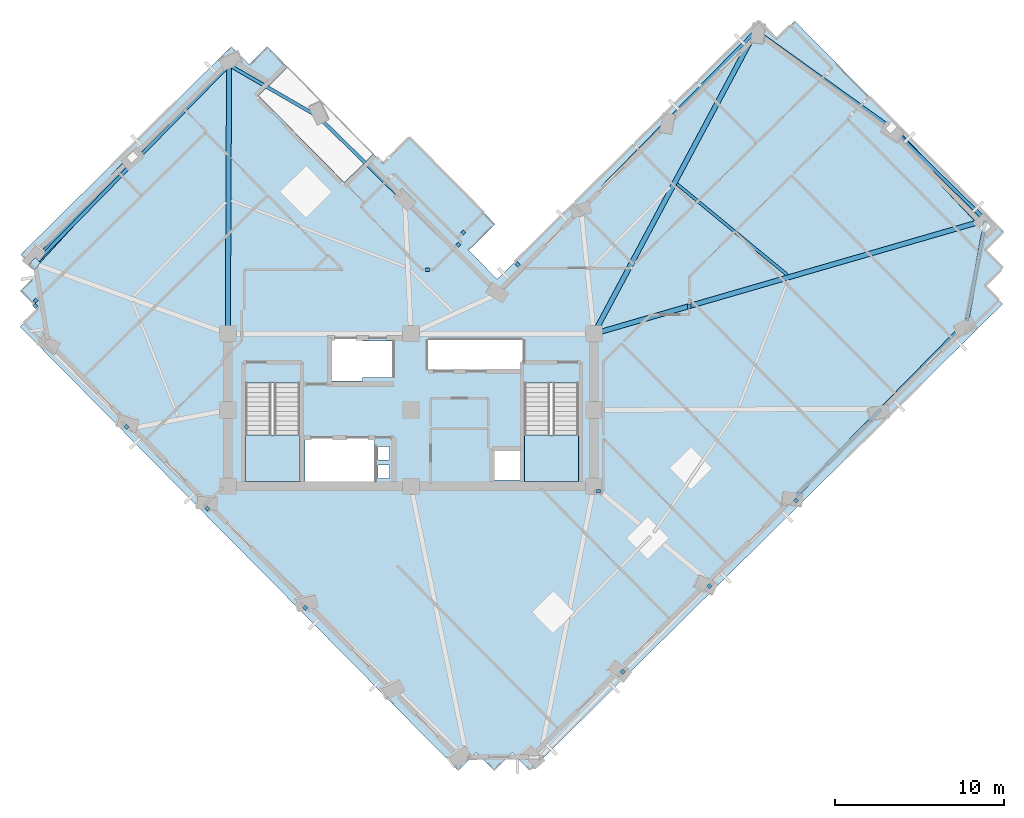
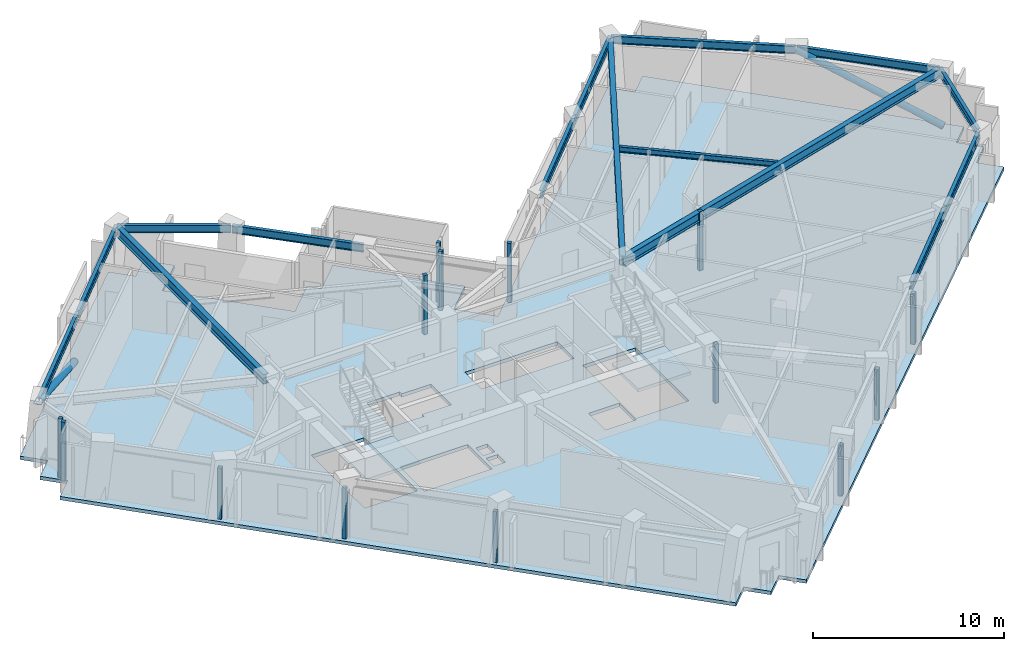
# One storey, part 2 of 11: 15 beams, 15 plates, 3 slabs, 2 members, 2 elements without a shape of their own.
"""IFC4 building model written with IfcOpenShell, lengths in metres."""

from ifc_helpers import new_model, si_unit, direction, frame, origin, origin_2d, place, context, subcontext, project, spatial, polyline, rectangle, hollow_circle, i_section, outline, extrude, material, layer, layer_set, material_profile, profile_set, type_object, element, aggregate, save


model = new_model("IFC4")

# Units and contexts
model_context = context("Model", 3, precision=1e-05, world=origin(), true_north=direction((0.0, 1.0)))
body_context = subcontext(model_context, "Body", "Model", "MODEL_VIEW")
ifc_project = project(units=[si_unit("LENGTHUNIT", "METRE"), si_unit("AREAUNIT", "SQUARE_METRE"), si_unit("VOLUMEUNIT", "CUBIC_METRE"), si_unit("PLANEANGLEUNIT", "RADIAN"), si_unit("MASSUNIT", "GRAM", prefix="KILO")], contexts=[model_context])

# Site, building, storey
site_placement = place(None, origin())
site = spatial("IfcSite", under=ifc_project, at=site_placement, CompositionType="ELEMENT")
building_placement = place(site_placement, origin())
building = spatial("IfcBuilding", under=site, at=building_placement, Name="Gaonmaruhae Medical Tower", CompositionType="ELEMENT")
storey_placement = place(building_placement, frame((0.0, 0.0, 215.199951171875)))
storey = spatial("IfcBuildingStorey", under=building, at=storey_placement, Name="L51", CompositionType="ELEMENT", Elevation=215.199951171875)

# Beam
ifc_material_1 = material(Name="Steel SM355", Category="steel")
ifc_material_profile_1 = material_profile(ifc_material_1, i_section(OverallWidth=0.175048828125, OverallDepth=0.35009765625, WebThickness=0.007080078125, FlangeThickness=0.010986328125, FilletRadius=0.012939453125, at=origin_2d()), Name="H-350x175x7x11")
ifc_profile_set_1 = profile_set([ifc_material_profile_1], Name="Steel SM355")
beam_type_1 = type_object("IfcBeamType", Name="FJ-02 Upper Zone Ward Floor Joist (H-350x175x7x11)", PredefinedType="JOIST", material=ifc_profile_set_1)
beam_1_placement = place(storey_placement, frame((47.013916015625, 20.27294921875, 3.60498046875), z_axis=(-0.771619361328, 0.63608455509, 0.0), x_axis=(-0.63608455509, -0.771619361328, 0.0)))
element("IfcBeam", 1, at=beam_1_placement, inside=storey, type_object=beam_type_1, Name="L51 Secondary Floor Joist FJ04", PredefinedType="JOIST", context=body_context, shape_type="SweptSolid", body=[
    extrude(i_section(OverallWidth=0.175048828125, OverallDepth=0.35009765625, WebThickness=0.007080078125, FlangeThickness=0.010986328125, FilletRadius=0.012939453125, at=origin_2d()), origin(), (0.0, 0.0, 1.0), 8.435546875),
])

# Members
ifc_material_2 = material(Name="Steel SM420", Category="steel")
ifc_material_profile_2 = material_profile(ifc_material_2, hollow_circle(Radius=0.203125, WallThickness=0.0126953125, at=origin_2d()), Name="CHS-406.4x12.7")
ifc_profile_set_2 = profile_set([ifc_material_profile_2], Name="Steel SM420")
member_type = type_object("IfcMemberType", Name="PB-02 Perimeter Solid-Bay Tube Brace Mid (CHS-406.4x12.7)", PredefinedType="BRACE", material=ifc_profile_set_2)
member_1_placement = place(storey_placement, frame((58.6923828125, 23.091064453125, 0.25), z_axis=(-0.636249618731, 0.673570663473, 0.376150214638), x_axis=(-0.726959518933, -0.686680317057, 0.0)))
element("IfcMember", 2, at=member_1_placement, inside=storey, type_object=member_type, Name="L51 Perimeter Tube Solid-Bay Brace E01-E02", PredefinedType="BRACE", context=body_context, shape_type="SweptSolid", body=[
    extrude(hollow_circle(Radius=0.203125, WallThickness=0.0126953125, at=origin_2d()), origin(), (0.0, 0.0, 1.0), 8.719970703125),
])
member_2_placement = place(storey_placement, frame((8.37060546875, 27.216796875, 0.25), z_axis=(-0.631874900365, -0.68694019295, 0.358953035366), x_axis=(0.735989773086, -0.676992654253, 0.0)))
element("IfcMember", 3, at=member_2_placement, inside=storey, type_object=member_type, Name="L51 Perimeter Tube Solid-Bay Brace N02-N03", PredefinedType="BRACE", context=body_context, shape_type="SweptSolid", body=[
    extrude(hollow_circle(Radius=0.203125, WallThickness=0.0126953125, at=origin_2d()), origin(), (0.0, 0.0, 1.0), 9.1376953125),
])

# Beams
ifc_material_profile_3 = material_profile(ifc_material_2, i_section(OverallWidth=0.300048828125, OverallDepth=0.60009765625, WebThickness=0.011962890625, FlangeThickness=0.02001953125, FilletRadius=0.012939453125, at=origin_2d()), Name="H-600x300x12x20")
ifc_profile_set_3 = profile_set([ifc_material_profile_3], Name="Steel SM420")
beam_type_2 = type_object("IfcBeamType", Name="PG-04 Zone 4 Radial Floor Girder (H-600x300x12x20)", PredefinedType="BEAM", material=ifc_profile_set_3)
beam_2_placement = place(storey_placement, frame((35.64794921875, 16.81396484375, 3.47998046875), z_axis=(0.960392485778, 0.278650808828, 0.0), x_axis=(-0.278650808828, 0.960392485778, 0.0)))
element("IfcBeam", 4, at=beam_2_placement, inside=storey, type_object=beam_type_2, Name="L51 Radial Primary Girder E01", PredefinedType="BEAM", context=body_context, shape_type="SweptSolid", body=[
    extrude(i_section(OverallWidth=0.300048828125, OverallDepth=0.60009765625, WebThickness=0.011962890625, FlangeThickness=0.02001953125, FilletRadius=0.012939453125, at=origin_2d()), origin(), (0.0, 0.0, 1.0), 23.970703125),
])
beam_3_placement = place(storey_placement, frame((35.62353515625, 16.843994140625, 3.47998046875), z_axis=(0.471683756144, 0.881767789267, 0.0), x_axis=(-0.881767789267, 0.471683756144, 0.0)))
element("IfcBeam", 5, at=beam_3_placement, inside=storey, type_object=beam_type_2, Name="L51 Radial Primary Girder E03", PredefinedType="BEAM", context=body_context, shape_type="SweptSolid", body=[
    extrude(i_section(OverallWidth=0.300048828125, OverallDepth=0.60009765625, WebThickness=0.011962890625, FlangeThickness=0.02001953125, FilletRadius=0.012939453125, at=origin_2d()), origin(), (0.0, 0.0, 1.0), 20.17724609375),
])
beam_4_placement = place(storey_placement, frame((14.000244140625, 16.85009765625, 3.47998046875), z_axis=(0.004493292105, 0.999989905112, 0.0), x_axis=(-0.999989905112, 0.004493292105, 0.0)))
element("IfcBeam", 6, at=beam_4_placement, inside=storey, type_object=beam_type_2, Name="L51 Radial Primary Girder N01", PredefinedType="BEAM", context=body_context, shape_type="SweptSolid", body=[
    extrude(i_section(OverallWidth=0.300048828125, OverallDepth=0.60009765625, WebThickness=0.011962890625, FlangeThickness=0.02001953125, FilletRadius=0.012939453125, at=origin_2d()), origin(), (0.0, 0.0, 1.0), 15.757080078125),
])
ifc_material_profile_4 = material_profile(ifc_material_1, i_section(OverallWidth=0.199951171875, OverallDepth=0.5, WebThickness=0.010009765625, FlangeThickness=0.01611328125, FilletRadius=0.012939453125, at=origin_2d()), Name="H-500x200x10x16")
ifc_profile_set_4 = profile_set([ifc_material_profile_4], Name="Steel SM355")
beam_type_3 = type_object("IfcBeamType", Name="SP-02 Upper Perimeter Spandrel Beam (H-500x200x10x16)", PredefinedType="SPANDREL", material=ifc_profile_set_4)
beam_5_placement = place(storey_placement, frame((47.56591796875, 7.260498046875, 3.530029296875), z_axis=(0.699661625666, 0.714474358932, 0.0), x_axis=(-0.714474358932, 0.699661625666, 0.0)))
element("IfcBeam", 7, at=beam_5_placement, inside=storey, type_object=beam_type_3, Name="L51 Perimeter Spandrel Beam S04-S05", PredefinedType="SPANDREL", context=body_context, shape_type="SweptSolid", body=[
    extrude(i_section(OverallWidth=0.199951171875, OverallDepth=0.5, WebThickness=0.010009765625, FlangeThickness=0.01611328125, FilletRadius=0.012939453125, at=origin_2d()), origin(), (0.0, 0.0, 1.0), 7.1201171875),
])
beam_6_placement = place(storey_placement, frame((52.603515625, 12.40478515625, 3.530029296875), z_axis=(0.69967876649, 0.714457573074, 0.0), x_axis=(-0.714457573074, 0.69967876649, 0.0)))
element("IfcBeam", 8, at=beam_6_placement, inside=storey, type_object=beam_type_3, Name="L51 Perimeter Spandrel Beam S05-S06", PredefinedType="SPANDREL", context=body_context, shape_type="SweptSolid", body=[
    extrude(i_section(OverallWidth=0.199951171875, OverallDepth=0.5, WebThickness=0.010009765625, FlangeThickness=0.01611328125, FilletRadius=0.012939453125, at=origin_2d()), origin(), (0.0, 0.0, 1.0), 7.119873046875),
])
beam_7_placement = place(storey_placement, frame((57.620361328125, 17.559814453125, 3.530029296875), z_axis=(0.181363079564, 0.983416205567, 0.0), x_axis=(-0.983416205567, 0.181363079564, 0.0)))
element("IfcBeam", 9, at=beam_7_placement, inside=storey, type_object=beam_type_3, Name="L51 Perimeter Spandrel Beam S06-E01", PredefinedType="SPANDREL", context=body_context, shape_type="SweptSolid", body=[
    extrude(i_section(OverallWidth=0.199951171875, OverallDepth=0.5, WebThickness=0.010009765625, FlangeThickness=0.01611328125, FilletRadius=0.012939453125, at=origin_2d()), origin(), (0.0, 0.0, 1.0), 6.0078125),
])
beam_8_placement = place(storey_placement, frame((58.688720703125, 23.535400390625, 3.530029296875), z_axis=(-0.714483749035, 0.699652036633, 0.0), x_axis=(-0.699652036633, -0.714483749035, 0.0)))
element("IfcBeam", 10, at=beam_8_placement, inside=storey, type_object=beam_type_3, Name="L51 Perimeter Spandrel Beam E01-E02", PredefinedType="SPANDREL", context=body_context, shape_type="SweptSolid", body=[
    extrude(i_section(OverallWidth=0.199951171875, OverallDepth=0.5, WebThickness=0.010009765625, FlangeThickness=0.01611328125, FilletRadius=0.012939453125, at=origin_2d()), origin(), (0.0, 0.0, 1.0), 7.719970703125),
])
beam_9_placement = place(storey_placement, frame((53.11181640625, 28.988037109375, 3.530029296875), z_axis=(-0.813002517893, 0.582260170284, 0.0), x_axis=(-0.582260170284, -0.813002517893, 0.0)))
element("IfcBeam", 11, at=beam_9_placement, inside=storey, type_object=beam_type_3, Name="L51 Perimeter Spandrel Beam E02-E03", PredefinedType="SPANDREL", context=body_context, shape_type="SweptSolid", body=[
    extrude(i_section(OverallWidth=0.199951171875, OverallDepth=0.5, WebThickness=0.010009765625, FlangeThickness=0.01611328125, FilletRadius=0.012939453125, at=origin_2d()), origin(), (0.0, 0.0, 1.0), 9.7353515625),
])
beam_10_placement = place(storey_placement, frame((45.136474609375, 34.651123046875, 3.530029296875), z_axis=(-0.699665461656, -0.71447060245, 0.0), x_axis=(0.71447060245, -0.699665461656, 0.0)))
element("IfcBeam", 12, at=beam_10_placement, inside=storey, type_object=beam_type_3, Name="L51 Perimeter Spandrel Beam E03-EN01", PredefinedType="SPANDREL", context=body_context, shape_type="SweptSolid", body=[
    extrude(i_section(OverallWidth=0.199951171875, OverallDepth=0.5, WebThickness=0.010009765625, FlangeThickness=0.01611328125, FilletRadius=0.012939453125, at=origin_2d()), origin(), (0.0, 0.0, 1.0), 7.469970703125),
])
beam_11_placement = place(storey_placement, frame((39.85400390625, 29.2568359375, 3.530029296875), z_axis=(-0.69967876649, -0.714457573074, 0.0), x_axis=(0.714457573074, -0.69967876649, 0.0)))
element("IfcBeam", 13, at=beam_11_placement, inside=storey, type_object=beam_type_3, Name="L51 Perimeter Spandrel Beam EN01-EN02", PredefinedType="SPANDREL", context=body_context, shape_type="SweptSolid", body=[
    extrude(i_section(OverallWidth=0.199951171875, OverallDepth=0.5, WebThickness=0.010009765625, FlangeThickness=0.01611328125, FilletRadius=0.012939453125, at=origin_2d()), origin(), (0.0, 0.0, 1.0), 7.119873046875),
])
beam_12_placement = place(storey_placement, frame((24.416015625, 24.6259765625, 3.510009765625), z_axis=(-0.714474358932, 0.699661625666, 0.0), x_axis=(-0.699661625666, -0.714474358932, 0.0)))
element("IfcBeam", 14, at=beam_12_placement, inside=storey, type_object=beam_type_3, Name="L51 Perimeter Spandrel Beam NE01-NE02", PredefinedType="SPANDREL", context=body_context, shape_type="SweptSolid", body=[
    extrude(i_section(OverallWidth=0.199951171875, OverallDepth=0.5, WebThickness=0.010009765625, FlangeThickness=0.01611328125, FilletRadius=0.012939453125, at=origin_2d()), origin(), (0.0, 0.0, 1.0), 7.1201171875),
])
beam_13_placement = place(storey_placement, frame((19.265625, 29.655517578125, 3.510009765625), z_axis=(-0.865842987562, 0.500315821146, 0.0), x_axis=(-0.500315821146, -0.865842987562, 0.0)))
element("IfcBeam", 15, at=beam_13_placement, inside=storey, type_object=beam_type_3, Name="L51 Perimeter Spandrel Beam NE02-N01", PredefinedType="SPANDREL", context=body_context, shape_type="SweptSolid", body=[
    extrude(i_section(OverallWidth=0.199951171875, OverallDepth=0.5, WebThickness=0.010009765625, FlangeThickness=0.01611328125, FilletRadius=0.012939453125, at=origin_2d()), origin(), (0.0, 0.0, 1.0), 5.959228515625),
])
for number, where, z_axis, x_axis, name in (
    (16, (14.043212890625, 32.62841796875, 3.530029296875), (-0.699656451094, -0.714479426186, 0.0), (0.714479426186, -0.699656451094, 0.0), "L51 Perimeter Spandrel Beam N01-N02"),
    (17, (8.305908203125, 26.769775390625, 3.530029296875), (-0.699656451094, -0.714479426186, 0.0), (0.714479426186, -0.699656451094, 0.0), "L51 Perimeter Spandrel Beam N02-N03"),
):
    element("IfcBeam", number, at=place(storey_placement, frame(where, z_axis=z_axis, x_axis=x_axis)), inside=storey, type_object=beam_type_3, Name=name, PredefinedType="SPANDREL", context=body_context, shape_type="SweptSolid", body=[
        extrude(i_section(OverallWidth=0.199951171875, OverallDepth=0.5, WebThickness=0.010009765625, FlangeThickness=0.01611328125, FilletRadius=0.012939453125, at=origin_2d()), origin(), (0.0, 0.0, 1.0), 8.119873046875),
    ])

# Slab
ifc_material_3 = material(Name="Concrete C40/50", Category="concrete")
ifc_layer_1 = layer(ifc_material_3, 0.219970703125)
ifc_layer_set_1 = layer_set([ifc_layer_1], Name="Concrete C40/50")
slab_type_1 = type_object("IfcSlabType", Name="FS-220 Clinical Ward Composite Floor Slab", PredefinedType="FLOOR", material=ifc_layer_set_1)
slab_1_placement = place(storey_placement, frame((0.0, 0.0, -0.219970703125)))
element("IfcSlab", 18, at=slab_1_placement, inside=storey, type_object=slab_type_1, Name="L51 Structural Slab 1", PredefinedType="FLOOR", context=body_context, shape_type="SweptSolid", body=[
    extrude(outline(polyline([(45.331298828125, 35.264404296875), (46.385498046875, 34.197265625), (47.45263671875, 35.25146484375), (59.751220703125, 22.8017578125), (58.68408203125, 21.74755859375), (59.73828125, 20.680419921875), (58.671142578125, 19.626220703125), (59.725341796875, 18.55908203125), (31.837890625, -8.989501953125), (30.78369140625, -7.922607421875), (29.716552734375, -8.9765625), (28.66259765625, -7.909423828125), (27.595458984375, -8.963623046875), (1.7333984375, 17.21630859375), (2.80029296875, 18.2705078125), (1.74609375, 19.337646484375), (2.8134765625, 20.391845703125), (1.75927734375, 21.458984375), (14.208984375, 33.757568359375), (15.26318359375, 32.690185546875), (16.330078125, 33.744384765625), (17.52490234375, 32.53515625), (15.8173828125, 30.848388671875), (20.87744140625, 25.726318359375), (22.5849609375, 27.412841796875), (23.147216796875, 26.84375), (24.712158203125, 28.389892578125), (29.772216796875, 23.267578125), (28.20703125, 21.7216796875), (29.893798828125, 20.01416015625), (45.331298828125, 35.264404296875)]), holes=[polyline([(23.550048828125, 8.25), (22.85009765625, 8.25), (22.85009765625, 9.050048828125), (23.550048828125, 9.050048828125), (23.550048828125, 8.25)]), polyline([(31.425048828125, 9.925048828125), (31.425048828125, 8.175048828125), (29.574951171875, 8.175048828125), (29.574951171875, 9.925048828125), (31.425048828125, 9.925048828125)]), polyline([(22.64990234375, 10.625), (22.64990234375, 8.074951171875), (18.550048828125, 8.074951171875), (18.550048828125, 10.625), (22.64990234375, 10.625)]), polyline([(23.550048828125, 9.35009765625), (22.85009765625, 9.35009765625), (22.85009765625, 10.14990234375), (23.550048828125, 10.14990234375), (23.550048828125, 9.35009765625)]), polyline([(15.050048828125, 13.889892578125), (18.25, 13.889892578125), (18.25, 8.300048828125), (15.050048828125, 8.300048828125), (15.050048828125, 13.889892578125)]), polyline([(31.5, 13.889892578125), (34.699951171875, 13.889892578125), (34.699951171875, 8.300048828125), (31.5, 8.300048828125), (31.5, 13.889892578125)]), polyline([(21.949951171875, 14.22509765625), (21.949951171875, 14.02490234375), (19.949951171875, 14.02490234375), (19.949951171875, 16.574951171875), (21.949951171875, 16.574951171875), (21.949951171875, 16.375), (23.72509765625, 16.375), (23.72509765625, 14.22509765625), (21.949951171875, 14.22509765625)]), polyline([(31.425048828125, 16.425048828125), (31.425048828125, 14.675048828125), (25.824951171875, 14.675048828125), (25.824951171875, 16.425048828125), (31.425048828125, 16.425048828125)])]), origin(), (0.0, 0.0, 1.0), 0.219970703125),
])

# Plates
ifc_material_4 = material(Name="Steel HSA650 (650 MPa)", Category="steel")
ifc_layer_2 = layer(ifc_material_4, 0.028076171875)
ifc_layer_set_2 = layer_set([ifc_layer_2], Name="Steel HSA650 (650 MPa)")
plate_type_1 = type_object("IfcPlateType", Name="GP-02 Tube Brace End Cap Gusset Plate", PredefinedType="USERDEFINED", material=ifc_layer_set_2)
plate_placement = place(storey_placement, frame((2.5966796875, 20.939697265625, 3.51611328125), z_axis=(0.0, 0.0, 1.0), x_axis=(0.699663340513, 0.714472679633, 0.0)))
element("IfcPlate", 19, at=plate_placement, inside=storey, type_object=plate_type_1, Name="L51 Gusset Cap Plate PLT-L51-PBR-N02B", ObjectType="GUSSET_PLATE", PredefinedType="USERDEFINED", context=body_context, shape_type="SweptSolid", body=[
    extrude(rectangle(XDim=0.56005859375, YDim=0.43994140625, at=origin_2d()), origin(), (0.0, 0.0, 1.0), 0.028076171875),
])
ifc_material_5 = material(Name="Anodised aluminium 6063-T6", Category="aluminium")
ifc_layer_3 = layer(ifc_material_5, 0.011962890625)
ifc_layer_set_3 = layer_set([ifc_layer_3], Name="Anodised aluminium 6063-T6")
plate_type_2 = type_object("IfcPlateType", Name="PP-01 Interior Partition Corner Stiffener Plate", PredefinedType="SHEET", material=ifc_layer_set_3)
for number, where, z_axis, x_axis, name in (
    (20, (37.298583984375, -3.14599609375, 0.0), (0.0, 0.0, 1.0), (-0.711878971784, -0.70230216398, 0.0), "L51 Partition Corner Stiffener Plate PLT-L51-JGP-PW010"),
    (21, (42.416015625, 1.909423828125, 0.0), (0.0, 0.0, 1.0), (-0.711584729697, -0.702600293525, 0.0), "L51 Partition Corner Stiffener Plate PLT-L51-JGP-PW014"),
):
    element("IfcPlate", number, at=place(storey_placement, frame(where, z_axis=z_axis, x_axis=x_axis)), inside=storey, type_object=plate_type_2, Name=name, PredefinedType="SHEET", context=body_context, shape_type="SweptSolid", body=[
        extrude(rectangle(XDim=0.219970703125, YDim=0.219970703125, at=origin_2d()), origin(), (0.0, 0.0, 1.0), 3.264892578125),
    ])
for number, where, z_axis, x_axis, name in (
    (22, (35.875, 7.5, 0.0), (0.0, 0.0, 1.0), (1.0, 0.0, 0.0), "L51 Partition Corner Stiffener Plate PLT-L51-JGP-PW015"),
    (23, (41.22998046875, 18.4130859375, 0.0), (0.0, 0.0, 1.0), (0.0, 1.0, 0.0), "L51 Partition Corner Stiffener Plate PLT-L51-JGP-PW020"),
):
    element("IfcPlate", number, at=place(storey_placement, frame(where, z_axis=z_axis, x_axis=x_axis)), inside=storey, type_object=plate_type_2, Name=name, PredefinedType="SHEET", context=body_context, shape_type="SweptSolid", body=[
        extrude(rectangle(XDim=0.219970703125, YDim=0.219970703125, at=origin_2d()), origin(), (0.0, 0.0, 1.0), 3.780029296875),
    ])
for number, where, z_axis, x_axis, name in (
    (24, (47.53759765625, 6.969970703125, 0.0), (0.0, 0.0, 1.0), (-0.711498885568, -0.702687224757, 0.0), "L51 Partition Corner Stiffener Plate PLT-L51-JGP-PW022"),
    (25, (18.56494140625, 0.632080078125, 0.0), (0.0, 0.0, 1.0), (-0.703283042013, 0.710909954085, 0.0), "L51 Partition Corner Stiffener Plate PLT-L51-JGP-PW037"),
    (26, (12.79248046875, 6.4765625, 0.0), (0.0, 0.0, 1.0), (-0.703283042013, 0.710909954085, 0.0), "L51 Partition Corner Stiffener Plate PLT-L51-JGP-PW040"),
    (27, (8.02392578125, 11.302490234375, 0.0), (0.0, 0.0, 1.0), (-0.70262513209, 0.711560203887, 0.0), "L51 Partition Corner Stiffener Plate PLT-L51-JGP-PW046"),
):
    element("IfcPlate", number, at=place(storey_placement, frame(where, z_axis=z_axis, x_axis=x_axis)), inside=storey, type_object=plate_type_2, Name=name, PredefinedType="SHEET", context=body_context, shape_type="SweptSolid", body=[
        extrude(rectangle(XDim=0.219970703125, YDim=0.219970703125, at=origin_2d()), origin(), (0.0, 0.0, 1.0), 3.264892578125),
    ])
for number, where, z_axis, x_axis, name in (
    (28, (2.660888671875, 18.76611328125, 0.0), (0.0, 0.0, 1.0), (0.711118591069, 0.70307207983, 0.0), "L51 Partition Corner Stiffener Plate PLT-L51-JGP-PW051"),
    (29, (2.64208984375, 18.430908203125, 0.0), (0.0, 0.0, 1.0), (-0.702649969799, 0.711535677209, 0.0), "L51 Partition Corner Stiffener Plate PLT-L51-JGP-PW056"),
    (30, (31.096923828125, 20.89697265625, 0.0), (0.0, 0.0, 1.0), (-0.702500930705, 0.711682824268, 0.0), "L51 Partition Corner Stiffener Plate PLT-L51-JGP-PW060"),
    (31, (27.6064453125, 22.055419921875, 0.0), (0.0, 0.0, 1.0), (-0.711216751518, -0.702972782091, 0.0), "L51 Partition Corner Stiffener Plate PLT-L51-JGP-PW078"),
    (32, (25.78662109375, 20.580078125, 0.0), (0.0, 0.0, 1.0), (-1.0, 0.0, 0.0), "L51 Partition Corner Stiffener Plate PLT-L51-JGP-PW080"),
    (33, (27.89501953125, 22.777099609375, 0.0), (0.0, 0.0, 1.0), (-0.711535677209, -0.702649969799, 0.0), "L51 Partition Corner Stiffener Plate PLT-L51-JGP-PW096"),
):
    element("IfcPlate", number, at=place(storey_placement, frame(where, z_axis=z_axis, x_axis=x_axis)), inside=storey, type_object=plate_type_2, Name=name, PredefinedType="SHEET", context=body_context, shape_type="SweptSolid", body=[
        extrude(rectangle(XDim=0.219970703125, YDim=0.219970703125, at=origin_2d()), origin(), (0.0, 0.0, 1.0), 3.780029296875),
    ])

# Stair, slab
stair_type = type_object("IfcStairType", Name="ST-T1 Primary Core Escape Dogleg Stair", PredefinedType="TWO_QUARTER_TURN_STAIR", material=ifc_material_3)
stair_1_placement = place(storey_placement, origin())
stair_1 = element("IfcStair", 34, at=stair_1_placement, inside=storey, type_object=stair_type, Name="L51 Protected Escape Stair ST-01", PredefinedType="TWO_QUARTER_TURN_STAIR")
ifc_layer_4 = layer(ifc_material_3, 0.199951171875)
ifc_layer_set_4 = layer_set([ifc_layer_4], Name="Concrete C40/50")
slab_type_2 = type_object("IfcSlabType", Name="SL-200 Stair & Ramp Intermediate Concrete Landing", PredefinedType="LANDING", material=ifc_layer_set_4)
slab_2_placement = place(storey_placement, frame((0.0, 0.0, 1.800048828125)))
slab_2 = element("IfcSlab", 35, at=slab_2_placement, type_object=slab_type_2, Name="ST-01 landing 1", PredefinedType="LANDING", context=body_context, shape_type="SweptSolid", body=[
    extrude(outline(polyline([(15.050048828125, 10.820068359375), (15.050048828125, 8.0791015625), (18.25, 8.0791015625), (18.25, 10.820068359375), (15.050048828125, 10.820068359375)])), origin(), (0.0, 0.0, 1.0), 0.199951171875),
])
aggregate(stair_1, [slab_2])

stair_2_placement = place(storey_placement, origin())
stair_2 = element("IfcStair", 36, at=stair_2_placement, inside=storey, type_object=stair_type, Name="L51 Protected Escape Stair ST-02", PredefinedType="TWO_QUARTER_TURN_STAIR")
slab_3_placement = place(storey_placement, frame((0.0, 0.0, 1.800048828125)))
slab_3 = element("IfcSlab", 37, at=slab_3_placement, type_object=slab_type_2, Name="ST-02 landing 1", PredefinedType="LANDING", context=body_context, shape_type="SweptSolid", body=[
    extrude(outline(polyline([(31.5, 10.820068359375), (31.5, 8.0791015625), (34.699951171875, 8.0791015625), (34.699951171875, 10.820068359375), (31.5, 10.820068359375)])), origin(), (0.0, 0.0, 1.0), 0.199951171875),
])
aggregate(stair_2, [slab_3])

save(model, "model.ifc")
